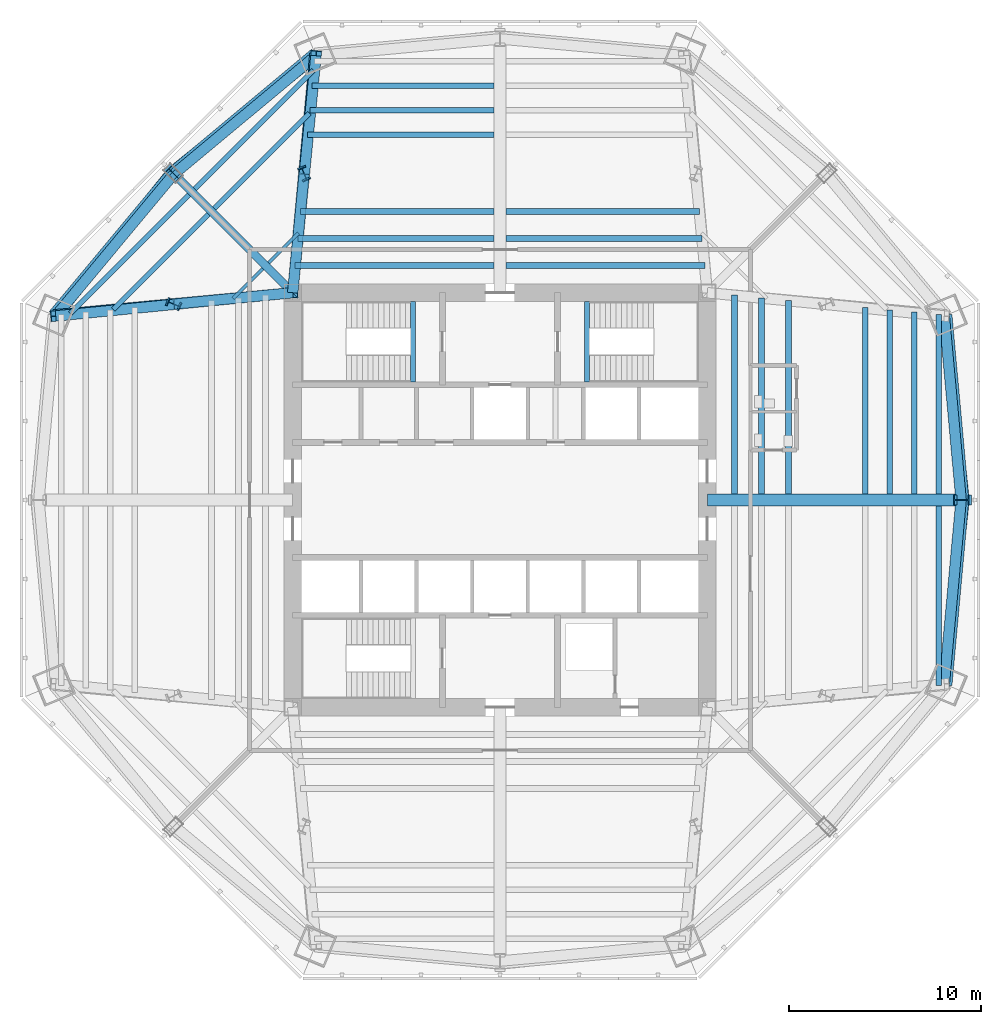
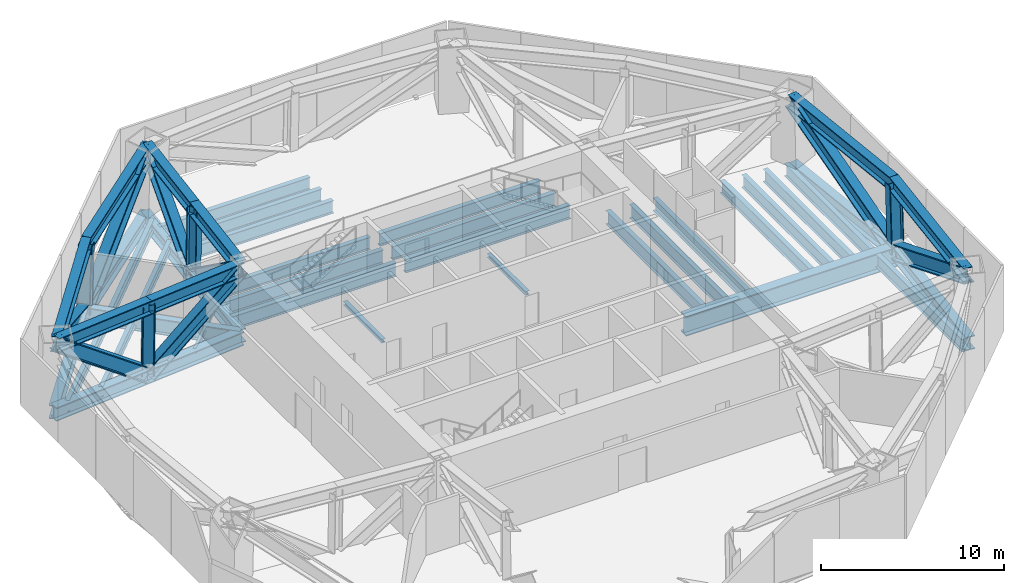
# One storey, part 3 of 10: 28 members, 27 beams.
"""IFC4 building model written with IfcOpenShell, lengths in metres."""

from ifc_helpers import new_model, si_unit, direction, frame, origin, origin_2d, place, context, subcontext, project, spatial, i_section, extrude, source, transform, mapped, material, material_profile, profile_set, type_object, type_shapes, element, save


model = new_model("IFC4")

# Units and contexts
model_context = context("Model", 3, precision=1e-05, world=origin(), true_north=direction((0.0, 1.0)))
body_context = subcontext(model_context, "Body", "Model", "MODEL_VIEW")
ifc_project = project(units=[si_unit("LENGTHUNIT", "METRE"), si_unit("AREAUNIT", "SQUARE_METRE"), si_unit("VOLUMEUNIT", "CUBIC_METRE"), si_unit("PLANEANGLEUNIT", "RADIAN"), si_unit("MASSUNIT", "GRAM", prefix="KILO")], contexts=[model_context])

# Site, building, storey
site_placement = place(None, origin())
site = spatial("IfcSite", under=ifc_project, at=site_placement, CompositionType="ELEMENT")
building_placement = place(site_placement, origin())
building = spatial("IfcBuilding", under=site, at=building_placement, Name="Mashrafa Tower", CompositionType="ELEMENT")
storey_placement = place(building_placement, frame((0.0, 0.0, 108.89990234375)))
storey = spatial("IfcBuildingStorey", under=building, at=storey_placement, Name="L24", CompositionType="ELEMENT", Elevation=108.89990234375)

# Beams
ifc_material_1 = material(Name="Steel ASTM A572 Gr 50", Category="steel")
ifc_material_profile_1 = material_profile(ifc_material_1, i_section(OverallWidth=0.60009765625, OverallDepth=1.300048828125, WebThickness=0.028076171875, FlangeThickness=0.06494140625, at=origin_2d()), Name="H1300X600X28X65")
ifc_profile_set_1 = profile_set([ifc_material_profile_1], Name="Steel ASTM A572 Gr 50")
beam_type_1 = type_object("IfcBeamType", Name="Beam H1300X600X28X65", PredefinedType="BEAM", material=ifc_profile_set_1)
beam_1_placement = place(storey_placement, frame((10.800048828125, 0.0, -0.89990234375), z_axis=(1.0, 0.0, 0.0), x_axis=(0.0, 1.0, 0.0)))
element("IfcBeam", 1, at=beam_1_placement, inside=storey, type_object=beam_type_1, Name="Radial girder L24 087", PredefinedType="BEAM", context=body_context, shape_type="SweptSolid", body=[
    extrude(i_section(OverallWidth=0.60009765625, OverallDepth=1.300048828125, WebThickness=0.028076171875, FlangeThickness=0.06494140625, at=origin_2d()), origin(), (0.0, 0.0, 1.0), 13.341064453125),
])
ifc_material_2 = material(Name="Steel ASTM A992", Category="steel")
ifc_material_profile_2 = material_profile(ifc_material_2, i_section(OverallWidth=0.164794921875, OverallDepth=0.309814453125, WebThickness=0.005859375, FlangeThickness=0.009765625, FilletRadius=0.007568359375, at=origin_2d()), Name="W12X26")
ifc_profile_set_2 = profile_set([ifc_material_profile_2], Name="Steel ASTM A992")
beam_type_2 = type_object("IfcBeamType", Name="Beam W12X26", PredefinedType="BEAM", material=ifc_profile_set_2)
for number, where, z_axis, x_axis, name in (
    (2, (-13.911376953125, 10.509521484375, -0.40478515625), (0.707162242717, 0.707051315306, 0.0), (-0.707051315306, 0.707162242717, 0.0), "Floor beam L24 017"),
    (3, (-12.065673828125, 12.35498046875, -0.40478515625), (0.707051315306, 0.707162242717, 0.0), (-0.707162242717, 0.707051315306, 0.0), "Floor beam L24 023"),
):
    element("IfcBeam", number, at=place(storey_placement, frame(where, z_axis=z_axis, x_axis=x_axis)), inside=storey, type_object=beam_type_2, Name=name, PredefinedType="BEAM", context=body_context, shape_type="SweptSolid", body=[
        extrude(i_section(OverallWidth=0.164794921875, OverallDepth=0.309814453125, WebThickness=0.005859375, FlangeThickness=0.009765625, FilletRadius=0.007568359375, at=origin_2d()), origin(), (0.0, 0.0, 1.0), 2.200927734375),
    ])
ifc_material_3 = material(Name="Steel ASTM A992", Category="steel")
ifc_material_profile_3 = material_profile(ifc_material_3, i_section(OverallWidth=0.25390625, OverallDepth=0.67822265625, WebThickness=0.01171875, FlangeThickness=0.016357421875, FilletRadius=0.01513671875, at=origin_2d()), Name="W27X84")
ifc_profile_set_3 = profile_set([ifc_material_profile_3], Name="Steel ASTM A992")
beam_type_3 = type_object("IfcBeamType", Name="Beam W27X84", PredefinedType="BEAM", material=ifc_profile_set_3)
for number, where, z_axis, x_axis, name in (
    (4, (-20.15087890625, 9.926513671875, -0.589111328125), (0.707106781187, 0.707106781187, 0.0), (-0.707106781187, 0.707106781187, 0.0), "Floor beam L24 008"),
    (5, (-14.89404296875, 15.183349609375, -0.589111328125), (0.707106781187, 0.707106781187, 0.0), (-0.707106781187, 0.707106781187, 0.0), "Floor beam L24 014"),
):
    element("IfcBeam", number, at=place(storey_placement, frame(where, z_axis=z_axis, x_axis=x_axis)), inside=storey, type_object=beam_type_3, Name=name, PredefinedType="BEAM", context=body_context, shape_type="SweptSolid", body=[
        extrude(i_section(OverallWidth=0.25390625, OverallDepth=0.67822265625, WebThickness=0.01171875, FlangeThickness=0.016357421875, FilletRadius=0.01513671875, at=origin_2d()), origin(), (0.0, 0.0, 1.0), 7.025146484375),
    ])
ifc_material_4 = material(Name="Steel ASTM A992", Category="steel")
ifc_material_profile_4 = material_profile(ifc_material_4, i_section(OverallWidth=0.2666015625, OverallDepth=0.761962890625, WebThickness=0.014404296875, FlangeThickness=0.021484375, FilletRadius=0.0166015625, at=origin_2d()), Name="W30X116")
ifc_profile_set_4 = profile_set([ifc_material_profile_4], Name="Steel ASTM A992")
beam_type_4 = type_object("IfcBeamType", Name="Beam W30X116", PredefinedType="BEAM", material=ifc_profile_set_4)
for number, where, z_axis, x_axis, name in (
    (6, (-22.39208984375, 9.71728515625, -0.630859375), (0.707120719406, 0.707092842692, 0.0), (-0.707092842692, 0.707120719406, 0.0), "Floor beam L24 003"),
    (7, (-15.909912109375, 16.19921875, -0.630859375), (0.707092842692, 0.707120719406, 0.0), (-0.707120719406, 0.707092842692, 0.0), "Floor beam L24 012"),
):
    element("IfcBeam", number, at=place(storey_placement, frame(where, z_axis=z_axis, x_axis=x_axis)), inside=storey, type_object=beam_type_4, Name=name, PredefinedType="BEAM", context=body_context, shape_type="SweptSolid", body=[
        extrude(i_section(OverallWidth=0.2666015625, OverallDepth=0.761962890625, WebThickness=0.014404296875, FlangeThickness=0.021484375, FilletRadius=0.0166015625, at=origin_2d()), origin(), (0.0, 0.0, 1.0), 8.7578125),
    ])
ifc_material_5 = material(Name="Steel ASTM A992", Category="steel")
ifc_material_profile_5 = material_profile(ifc_material_5, i_section(OverallWidth=0.2919921875, OverallDepth=0.8408203125, WebThickness=0.0146484375, FlangeThickness=0.021728515625, FilletRadius=0.017333984375, at=origin_2d()), Name="W33X130")
ifc_profile_set_5 = profile_set([ifc_material_profile_5], Name="Steel ASTM A992")
beam_type_5 = type_object("IfcBeamType", Name="Beam W33X130", PredefinedType="BEAM", material=ifc_profile_set_5)
beam_2_placement = place(storey_placement, frame((-9.911865234375, 20.30859375, -0.670166015625), z_axis=(1.0, 0.0, 0.0), x_axis=(0.0, 1.0, 0.0)))
element("IfcBeam", 8, at=beam_2_placement, inside=storey, type_object=beam_type_5, Name="Floor beam L24 030", PredefinedType="BEAM", context=body_context, shape_type="SweptSolid", body=[
    extrude(i_section(OverallWidth=0.2919921875, OverallDepth=0.8408203125, WebThickness=0.0146484375, FlangeThickness=0.021728515625, FilletRadius=0.017333984375, at=origin_2d()), origin(), (0.0, 0.0, 1.0), 9.61181640625),
])
beam_3_placement = place(storey_placement, frame((-9.79248046875, 21.586181640625, -0.670166015625), z_axis=(1.0, 0.0, 0.0), x_axis=(0.0, 1.0, 0.0)))
element("IfcBeam", 9, at=beam_3_placement, inside=storey, type_object=beam_type_5, Name="Floor beam L24 031", PredefinedType="BEAM", context=body_context, shape_type="SweptSolid", body=[
    extrude(i_section(OverallWidth=0.2919921875, OverallDepth=0.8408203125, WebThickness=0.0146484375, FlangeThickness=0.021728515625, FilletRadius=0.017333984375, at=origin_2d()), origin(), (0.0, 0.0, 1.0), 9.492431640625),
])
beam_4_placement = place(storey_placement, frame((20.30859375, 9.911865234375, -0.670166015625), z_axis=(0.0, -1.0, 0.0), x_axis=(1.0, 0.0, 0.0)))
element("IfcBeam", 10, at=beam_4_placement, inside=storey, type_object=beam_type_5, Name="Floor beam L24 075", PredefinedType="BEAM", context=body_context, shape_type="SweptSolid", body=[
    extrude(i_section(OverallWidth=0.2919921875, OverallDepth=0.8408203125, WebThickness=0.0146484375, FlangeThickness=0.021728515625, FilletRadius=0.017333984375, at=origin_2d()), origin(), (0.0, 0.0, 1.0), 9.61181640625),
])
beam_5_placement = place(storey_placement, frame((21.586181640625, 9.79248046875, -0.670166015625), z_axis=(0.0, -1.0, 0.0), x_axis=(1.0, 0.0, 0.0)))
element("IfcBeam", 11, at=beam_5_placement, inside=storey, type_object=beam_type_5, Name="Floor beam L24 077", PredefinedType="BEAM", context=body_context, shape_type="SweptSolid", body=[
    extrude(i_section(OverallWidth=0.2919921875, OverallDepth=0.8408203125, WebThickness=0.0146484375, FlangeThickness=0.021728515625, FilletRadius=0.017333984375, at=origin_2d()), origin(), (0.0, 0.0, 1.0), 9.492431640625),
])
for number, where, z_axis, x_axis, name in (
    (12, (22.863525390625, -0.300048828125, -0.670166015625), (0.0, -1.0, 0.0), (1.0, 0.0, 0.0), "Floor beam L24 079"),
    (13, (22.863525390625, 9.673095703125, -0.670166015625), (0.0, -1.0, 0.0), (1.0, 0.0, 0.0), "Floor beam L24 080"),
):
    element("IfcBeam", number, at=place(storey_placement, frame(where, z_axis=z_axis, x_axis=x_axis)), inside=storey, type_object=beam_type_5, Name=name, PredefinedType="BEAM", context=body_context, shape_type="SweptSolid", body=[
        extrude(i_section(OverallWidth=0.2919921875, OverallDepth=0.8408203125, WebThickness=0.0146484375, FlangeThickness=0.021728515625, FilletRadius=0.017333984375, at=origin_2d()), origin(), (0.0, 0.0, 1.0), 9.373046875),
    ])
ifc_material_6 = material(Name="Steel ASTM A992", Category="steel")
ifc_material_profile_6 = material_profile(ifc_material_6, i_section(OverallWidth=0.2919921875, OverallDepth=0.845703125, WebThickness=0.015380859375, FlangeThickness=0.0244140625, FilletRadius=0.017333984375, at=origin_2d()), Name="W33X141")
ifc_profile_set_6 = profile_set([ifc_material_profile_6], Name="Steel ASTM A992")
beam_type_6 = type_object("IfcBeamType", Name="Beam W33X141", PredefinedType="BEAM", material=ifc_profile_set_6)
beam_6_placement = place(storey_placement, frame((-10.40478515625, 15.031005859375, -0.6728515625), z_axis=(1.0, 0.0, 0.0), x_axis=(0.0, 1.0, 0.0)))
element("IfcBeam", 14, at=beam_6_placement, inside=storey, type_object=beam_type_6, Name="Floor beam L24 027", PredefinedType="BEAM", context=body_context, shape_type="SweptSolid", body=[
    extrude(i_section(OverallWidth=0.2919921875, OverallDepth=0.845703125, WebThickness=0.015380859375, FlangeThickness=0.0244140625, FilletRadius=0.017333984375, at=origin_2d()), origin(), (0.0, 0.0, 1.0), 10.104736328125),
])
beam_7_placement = place(storey_placement, frame((-10.031005859375, 19.031005859375, -0.6728515625), z_axis=(1.0, 0.0, 0.0), x_axis=(0.0, 1.0, 0.0)))
element("IfcBeam", 15, at=beam_7_placement, inside=storey, type_object=beam_type_6, Name="Floor beam L24 028", PredefinedType="BEAM", context=body_context, shape_type="SweptSolid", body=[
    extrude(i_section(OverallWidth=0.2919921875, OverallDepth=0.845703125, WebThickness=0.015380859375, FlangeThickness=0.0244140625, FilletRadius=0.017333984375, at=origin_2d()), origin(), (0.0, 0.0, 1.0), 9.73095703125),
])
for number, where, z_axis, x_axis, name in (
    (16, (0.300048828125, 15.031005859375, -0.6728515625), (1.0, 0.0, 0.0), (0.0, 1.0, 0.0), "Floor beam L24 043"),
    (17, (15.031005859375, 10.40478515625, -0.6728515625), (0.0, -1.0, 0.0), (1.0, 0.0, 0.0), "Floor beam L24 066"),
):
    element("IfcBeam", number, at=place(storey_placement, frame(where, z_axis=z_axis, x_axis=x_axis)), inside=storey, type_object=beam_type_6, Name=name, PredefinedType="BEAM", context=body_context, shape_type="SweptSolid", body=[
        extrude(i_section(OverallWidth=0.2919921875, OverallDepth=0.845703125, WebThickness=0.015380859375, FlangeThickness=0.0244140625, FilletRadius=0.017333984375, at=origin_2d()), origin(), (0.0, 0.0, 1.0), 10.104736328125),
    ])
beam_8_placement = place(storey_placement, frame((19.031005859375, 10.031005859375, -0.6728515625), z_axis=(0.0, -1.0, 0.0), x_axis=(1.0, 0.0, 0.0)))
element("IfcBeam", 18, at=beam_8_placement, inside=storey, type_object=beam_type_6, Name="Floor beam L24 072", PredefinedType="BEAM", context=body_context, shape_type="SweptSolid", body=[
    extrude(i_section(OverallWidth=0.2919921875, OverallDepth=0.845703125, WebThickness=0.015380859375, FlangeThickness=0.0244140625, FilletRadius=0.017333984375, at=origin_2d()), origin(), (0.0, 0.0, 1.0), 9.73095703125),
])
ifc_material_7 = material(Name="Steel ASTM A992", Category="steel")
ifc_material_profile_7 = material_profile(ifc_material_7, i_section(OverallWidth=0.3046875, OverallDepth=0.911865234375, WebThickness=0.015869140625, FlangeThickness=0.02392578125, FilletRadius=0.01904296875, at=origin_2d()), Name="W36X150")
ifc_profile_set_7 = profile_set([ifc_material_profile_7], Name="Steel ASTM A992")
beam_type_7 = type_object("IfcBeamType", Name="Beam W36X150", PredefinedType="BEAM", material=ifc_profile_set_7)
beam_9_placement = place(storey_placement, frame((-10.668212890625, 12.210205078125, -0.705810546875), z_axis=(1.0, 0.0, 0.0), x_axis=(0.0, 1.0, 0.0)))
element("IfcBeam", 19, at=beam_9_placement, inside=storey, type_object=beam_type_7, Name="Floor beam L24 024", PredefinedType="BEAM", context=body_context, shape_type="SweptSolid", body=[
    extrude(i_section(OverallWidth=0.3046875, OverallDepth=0.911865234375, WebThickness=0.015869140625, FlangeThickness=0.02392578125, FilletRadius=0.01904296875, at=origin_2d()), origin(), (0.0, 0.0, 1.0), 10.3681640625),
])
beam_10_placement = place(storey_placement, frame((-10.53662109375, 13.62060546875, -0.705810546875), z_axis=(1.0, 0.0, 0.0), x_axis=(0.0, 1.0, 0.0)))
element("IfcBeam", 20, at=beam_10_placement, inside=storey, type_object=beam_type_7, Name="Floor beam L24 025", PredefinedType="BEAM", context=body_context, shape_type="SweptSolid", body=[
    extrude(i_section(OverallWidth=0.3046875, OverallDepth=0.911865234375, WebThickness=0.015869140625, FlangeThickness=0.02392578125, FilletRadius=0.01904296875, at=origin_2d()), origin(), (0.0, 0.0, 1.0), 10.236572265625),
])
beam_11_placement = place(storey_placement, frame((0.300048828125, 12.210205078125, -0.705810546875), z_axis=(1.0, 0.0, 0.0), x_axis=(0.0, 1.0, 0.0)))
element("IfcBeam", 21, at=beam_11_placement, inside=storey, type_object=beam_type_7, Name="Floor beam L24 041", PredefinedType="BEAM", context=body_context, shape_type="SweptSolid", body=[
    extrude(i_section(OverallWidth=0.3046875, OverallDepth=0.911865234375, WebThickness=0.015869140625, FlangeThickness=0.02392578125, FilletRadius=0.01904296875, at=origin_2d()), origin(), (0.0, 0.0, 1.0), 10.3681640625),
])
beam_12_placement = place(storey_placement, frame((0.300048828125, 13.62060546875, -0.705810546875), z_axis=(1.0, 0.0, 0.0), x_axis=(0.0, 1.0, 0.0)))
element("IfcBeam", 22, at=beam_12_placement, inside=storey, type_object=beam_type_7, Name="Floor beam L24 042", PredefinedType="BEAM", context=body_context, shape_type="SweptSolid", body=[
    extrude(i_section(OverallWidth=0.3046875, OverallDepth=0.911865234375, WebThickness=0.015869140625, FlangeThickness=0.02392578125, FilletRadius=0.01904296875, at=origin_2d()), origin(), (0.0, 0.0, 1.0), 10.236572265625),
])
beam_13_placement = place(storey_placement, frame((12.210205078125, 10.668212890625, -0.705810546875), z_axis=(0.0, -1.0, 0.0), x_axis=(1.0, 0.0, 0.0)))
element("IfcBeam", 23, at=beam_13_placement, inside=storey, type_object=beam_type_7, Name="Floor beam L24 060", PredefinedType="BEAM", context=body_context, shape_type="SweptSolid", body=[
    extrude(i_section(OverallWidth=0.3046875, OverallDepth=0.911865234375, WebThickness=0.015869140625, FlangeThickness=0.02392578125, FilletRadius=0.01904296875, at=origin_2d()), origin(), (0.0, 0.0, 1.0), 10.3681640625),
])
beam_14_placement = place(storey_placement, frame((13.62060546875, 10.53662109375, -0.705810546875), z_axis=(0.0, -1.0, 0.0), x_axis=(1.0, 0.0, 0.0)))
element("IfcBeam", 24, at=beam_14_placement, inside=storey, type_object=beam_type_7, Name="Floor beam L24 063", PredefinedType="BEAM", context=body_context, shape_type="SweptSolid", body=[
    extrude(i_section(OverallWidth=0.3046875, OverallDepth=0.911865234375, WebThickness=0.015869140625, FlangeThickness=0.02392578125, FilletRadius=0.01904296875, at=origin_2d()), origin(), (0.0, 0.0, 1.0), 10.236572265625),
])
ifc_material_8 = material(Name="Steel ASTM A992", Category="steel")
ifc_material_profile_8 = material_profile(ifc_material_8, i_section(OverallWidth=0.408935546875, OverallDepth=1.04150390625, WebThickness=0.031005859375, FlangeThickness=0.055908203125, FilletRadius=0.020263671875, at=origin_2d()), Name="W40X397")
ifc_profile_set_8 = profile_set([ifc_material_profile_8], Name="Steel ASTM A992")
beam_type_8 = type_object("IfcBeamType", Name="Beam W40X397", PredefinedType="BEAM", material=ifc_profile_set_8)
beam_15_placement = place(storey_placement, frame((-10.800048828125, 10.800048828125, -0.7705078125), z_axis=(-0.707106781187, 0.707106781187, 0.0), x_axis=(-0.707106781187, -0.707106781187, 0.0)))
element("IfcBeam", 25, at=beam_15_placement, inside=storey, type_object=beam_type_8, Name="Radial girder L24 083", PredefinedType="BEAM", context=body_context, shape_type="SweptSolid", body=[
    extrude(i_section(OverallWidth=0.408935546875, OverallDepth=1.04150390625, WebThickness=0.031005859375, FlangeThickness=0.055908203125, FilletRadius=0.020263671875, at=origin_2d()), origin(), (0.0, 0.0, 1.0), 8.867431640625),
])
ifc_material_9 = material(Name="Steel ASTM A992", Category="steel")
ifc_material_profile_9 = material_profile(ifc_material_9, i_section(OverallWidth=0.25390625, OverallDepth=0.25390625, WebThickness=0.008544921875, FlangeThickness=0.01416015625, FilletRadius=0.010009765625, at=origin_2d()), Name="W10X49")
ifc_profile_set_9 = profile_set([ifc_material_profile_9], Name="Steel ASTM A992")
beam_type_9 = type_object("IfcBeamType", Name="Hoistway beam W10X49", PredefinedType="BEAM", material=ifc_profile_set_9)
for number, where, z_axis, x_axis, name in (
    (26, (-4.530029296875, 6.14990234375, -0.376953125), (0.0, 1.0, 0.0), (-1.0, 0.0, 0.0), "Stair S1 landing beam L24"),
    (27, (4.530029296875, 6.14990234375, -0.376953125), (0.0, 1.0, 0.0), (-1.0, 0.0, 0.0), "Stair S2 landing beam L24"),
):
    element("IfcBeam", number, at=place(storey_placement, frame(where, z_axis=z_axis, x_axis=x_axis)), inside=storey, type_object=beam_type_9, Name=name, PredefinedType="BEAM", context=body_context, shape_type="SweptSolid", body=[
        extrude(i_section(OverallWidth=0.25390625, OverallDepth=0.25390625, WebThickness=0.008544921875, FlangeThickness=0.01416015625, FilletRadius=0.010009765625, at=origin_2d()), origin(), (0.0, 0.0, 1.0), 4.2001953125),
    ])

# Members
ifc_material_10 = material(Name="Steel ASTM A572 Gr 50", Category="steel")
ifc_material_profile_10 = material_profile(ifc_material_10, i_section(OverallWidth=0.550048828125, OverallDepth=0.89990234375, WebThickness=0.034912109375, FlangeThickness=0.06005859375, at=origin_2d()), Name="H900X550X35X60")
ifc_profile_set_10 = profile_set([ifc_material_profile_10], Name="Steel ASTM A572 Gr 50")
member_type_1 = type_object("IfcMemberType", Name="Belt truss chord H900X550X35X60", PredefinedType="CHORD", material=ifc_profile_set_10)
shared_shape_1 = source(origin(), body_context, "Body", "SweptSolid", [
    extrude(i_section(OverallWidth=0.550048828125, OverallDepth=0.89990234375, WebThickness=0.034912109375, FlangeThickness=0.06005859375, at=origin_2d()), origin(), (0.0, 0.0, 1.0), 9.680908203125),
])
for number, where, z_axis, x_axis, name in (
    (28, (23.275634765625, -9.64111328125, -0.699951171875), (0.090710826953, 0.995877274504, 0.0), (-0.995877274504, 0.090710826953, 0.0), "Belt truss bottom chord east face L24 right"),
    (29, (23.275634765625, 9.64111328125, -0.699951171875), (0.090710826953, -0.995877274504, 0.0), (0.995877274504, 0.090710826953, 0.0), "Belt truss bottom chord east face L24 left"),
    (30, (-9.64111328125, 23.275634765625, -0.699951171875), (-0.768334957874, -0.6400479611, 0.0), (0.6400479611, -0.768334957874, 0.0), "Belt truss bottom chord north-west face L24 right"),
    (31, (-23.275634765625, 9.64111328125, -0.699951171875), (0.6400479611, 0.768334957874, 0.0), (-0.768334957874, 0.6400479611, 0.0), "Belt truss bottom chord north-west face L24 left"),
):
    element("IfcMember", number, at=place(storey_placement, frame(where, z_axis=z_axis, x_axis=x_axis)), inside=storey, type_object=member_type_1, Name=name, PredefinedType="CHORD", context=body_context, shape_type="MappedRepresentation", body=[
        mapped(shared_shape_1, transform((0.0, 0.0, 0.0))),
    ])
shared_shape_2 = source(origin(), body_context, "Body", "SweptSolid", [
    extrude(i_section(OverallWidth=0.550048828125, OverallDepth=0.89990234375, WebThickness=0.034912109375, FlangeThickness=0.06005859375, at=origin_2d()), origin(), (0.0, 0.0, 1.0), 9.62744140625),
])
type_shapes(member_type_1, [shared_shape_1, shared_shape_2])
for number, where, z_axis, x_axis, name in (
    (32, (23.14599609375, -9.58740234375, 3.885009765625), (0.091214794378, 0.995831241369, 0.0), (-0.995831241369, 0.091214794378, 0.0), "Belt truss top chord east face L24 right"),
    (33, (23.14599609375, 9.58740234375, 3.885009765625), (0.091214794378, -0.995831241369, 0.0), (0.995831241369, 0.091214794378, 0.0), "Belt truss top chord east face L24 left"),
    (34, (-9.58740234375, 23.14599609375, 3.885009765625), (-0.768647218542, -0.639672926915, 0.0), (0.639672926915, -0.768647218542, 0.0), "Belt truss top chord north-west face L24 right"),
    (35, (-23.14599609375, 9.58740234375, 3.885009765625), (0.639672926915, 0.768647218542, 0.0), (-0.768647218542, 0.639672926915, 0.0), "Belt truss top chord north-west face L24 left"),
):
    element("IfcMember", number, at=place(storey_placement, frame(where, z_axis=z_axis, x_axis=x_axis)), inside=storey, type_object=member_type_1, Name=name, PredefinedType="CHORD", context=body_context, shape_type="MappedRepresentation", body=[
        mapped(shared_shape_2, transform((0.0, 0.0, 0.0))),
    ])
ifc_material_11 = material(Name="Steel ASTM A572 Gr 50", Category="steel")
ifc_material_profile_11 = material_profile(ifc_material_11, i_section(OverallWidth=0.5, OverallDepth=0.800048828125, WebThickness=0.031982421875, FlangeThickness=0.050048828125, at=origin_2d()), Name="H800X500X32X50")
ifc_profile_set_11 = profile_set([ifc_material_profile_11], Name="Steel ASTM A572 Gr 50")
member_type_2 = type_object("IfcMemberType", Name="Belt truss post H800X500X32X50", PredefinedType="POST", material=ifc_profile_set_11)
shared_shape_3 = source(origin(), body_context, "Body", "SweptSolid", [
    extrude(i_section(OverallWidth=0.5, OverallDepth=0.800048828125, WebThickness=0.031982421875, FlangeThickness=0.050048828125, at=origin_2d()), origin(), (0.0, 0.0, 1.0), 4.5869140625),
])
type_shapes(member_type_2, [shared_shape_3])
for number, where, z_axis, x_axis, name in (
    (36, (24.15380859375, 0.0, -0.699951171875), (-0.028263464856, 0.0, 0.99960050848), (0.0, -1.0, 0.0), "Belt truss post east face L24"),
    (37, (-17.079345703125, 17.079345703125, -0.699951171875), (0.020013278491, -0.020013278491, 0.999599388439), (0.707106781187, 0.707106781187, 0.0), "Belt truss post north-west face L24"),
):
    element("IfcMember", number, at=place(storey_placement, frame(where, z_axis=z_axis, x_axis=x_axis)), inside=storey, type_object=member_type_2, Name=name, PredefinedType="POST", context=body_context, shape_type="MappedRepresentation", body=[
        mapped(shared_shape_3, transform((0.0, 0.0, 0.0))),
    ])
ifc_material_12 = material(Name="Steel ASTM A572 Gr 50", Category="steel")
ifc_material_profile_12 = material_profile(ifc_material_12, i_section(OverallWidth=0.60009765625, OverallDepth=1.0, WebThickness=0.0400390625, FlangeThickness=0.070068359375, at=origin_2d()), Name="H1000X600X40X70")
ifc_profile_set_12 = profile_set([ifc_material_profile_12], Name="Steel ASTM A572 Gr 50")
member_type_3 = type_object("IfcMemberType", Name="Belt truss diagonal H1000X600X40X70", PredefinedType="BRACE", material=ifc_profile_set_12)
shared_shape_4 = source(origin(), body_context, "Body", "SweptSolid", [
    extrude(i_section(OverallWidth=0.60009765625, OverallDepth=1.0, WebThickness=0.0400390625, FlangeThickness=0.070068359375, at=origin_2d()), origin(), (0.0, 0.0, 1.0), 10.675048828125),
])
type_shapes(member_type_3, [shared_shape_4])
for number, where, z_axis, x_axis, name in (
    (38, (24.15380859375, 0.0, -0.699951171875), (-0.094408577481, -0.898116481993, 0.429504138829), (0.994520429695, -0.104542407277, 0.0), "Belt truss diagonal east face L24 right"),
    (39, (24.15380859375, 0.0, -0.699951171875), (-0.094408577481, 0.898116481993, 0.429504138829), (-0.994520429695, -0.104542407277, 0.0), "Belt truss diagonal east face L24 left"),
    (40, (-17.079345703125, 17.079345703125, -0.699951171875), (0.701822303286, 0.568305224178, 0.429505095177), (-0.629307502701, 0.777156398059, 0.0), "Belt truss diagonal north-west face L24 right"),
    (41, (-17.079345703125, 17.079345703125, -0.699951171875), (-0.568305224178, -0.701822303286, 0.429505095177), (0.777156398059, -0.629307502701, 0.0), "Belt truss diagonal north-west face L24 left"),
):
    element("IfcMember", number, at=place(storey_placement, frame(where, z_axis=z_axis, x_axis=x_axis)), inside=storey, type_object=member_type_3, Name=name, PredefinedType="BRACE", context=body_context, shape_type="MappedRepresentation", body=[
        mapped(shared_shape_4, transform((0.0, 0.0, 0.0))),
    ])
ifc_material_13 = material(Name="Steel ASTM A572 Gr 50", Category="steel")
ifc_material_profile_13 = material_profile(ifc_material_13, i_section(OverallWidth=0.550048828125, OverallDepth=0.89990234375, WebThickness=0.034912109375, FlangeThickness=0.06005859375, at=origin_2d()), Name="H900X550X35X60")
ifc_profile_set_13 = profile_set([ifc_material_profile_13], Name="Steel ASTM A572 Gr 50")
member_type_4 = type_object("IfcMemberType", Name="Outrigger chord H900X550X35X60", PredefinedType="CHORD", material=ifc_profile_set_13)
shared_shape_5 = source(origin(), body_context, "Body", "SweptSolid", [
    extrude(i_section(OverallWidth=0.550048828125, OverallDepth=0.89990234375, WebThickness=0.034912109375, FlangeThickness=0.06005859375, at=origin_2d()), origin(), (0.0, 0.0, 1.0), 6.2646484375),
])
for number, where, z_axis, x_axis, name in (
    (42, (-10.800048828125, 10.800048828125, -0.699951171875), (0.092517341994, 0.995711073269, 0.0), (-0.995711073269, 0.092517341994, 0.0), "Outrigger bottom chord MC3 L24 core end"),
    (43, (-10.220458984375, 17.037841796875, -0.699951171875), (0.092478704277, 0.995714662569, 0.0), (-0.995714662569, 0.092478704277, 0.0), "Outrigger bottom chord MC3 L24 column end"),
    (44, (-10.800048828125, 10.800048828125, -0.699951171875), (-0.995711073269, -0.092517341994, 0.0), (0.092517341994, -0.995711073269, 0.0), "Outrigger bottom chord MC4 L24 core end"),
    (45, (-17.037841796875, 10.220458984375, -0.699951171875), (-0.995714662569, -0.092478704277, 0.0), (0.092478704277, -0.995714662569, 0.0), "Outrigger bottom chord MC4 L24 column end"),
):
    element("IfcMember", number, at=place(storey_placement, frame(where, z_axis=z_axis, x_axis=x_axis)), inside=storey, type_object=member_type_4, Name=name, PredefinedType="CHORD", context=body_context, shape_type="MappedRepresentation", body=[
        mapped(shared_shape_5, transform((0.0, 0.0, 0.0))),
    ])
shared_shape_6 = source(origin(), body_context, "Body", "SweptSolid", [
    extrude(i_section(OverallWidth=0.550048828125, OverallDepth=0.89990234375, WebThickness=0.034912109375, FlangeThickness=0.06005859375, at=origin_2d()), origin(), (0.0, 0.0, 1.0), 6.20263671875),
])
for number, where, z_axis, x_axis, name in (
    (46, (-10.800048828125, 10.800048828125, 3.885009765625), (0.09777323439, 0.995208719132, 0.0), (-0.995208719132, 0.09777323439, 0.0), "Outrigger top chord MC3 L24 core end"),
    (47, (-10.800048828125, 10.800048828125, 3.885009765625), (-0.995208719132, -0.09777323439, 0.0), (0.09777323439, -0.995208719132, 0.0), "Outrigger top chord MC4 L24 core end"),
):
    element("IfcMember", number, at=place(storey_placement, frame(where, z_axis=z_axis, x_axis=x_axis)), inside=storey, type_object=member_type_4, Name=name, PredefinedType="CHORD", context=body_context, shape_type="MappedRepresentation", body=[
        mapped(shared_shape_6, transform((0.0, 0.0, 0.0))),
    ])
shared_shape_7 = source(origin(), body_context, "Body", "SweptSolid", [
    extrude(i_section(OverallWidth=0.550048828125, OverallDepth=0.89990234375, WebThickness=0.034912109375, FlangeThickness=0.06005859375, at=origin_2d()), origin(), (0.0, 0.0, 1.0), 6.202880859375),
])
type_shapes(member_type_4, [shared_shape_5, shared_shape_6, shared_shape_7])
for number, where, z_axis, x_axis, name in (
    (48, (-10.193603515625, 16.972900390625, 3.885009765625), (0.097730420851, 0.995212924374, 0.0), (-0.995212924374, 0.097730420851, 0.0), "Outrigger top chord MC3 L24 column end"),
    (49, (-16.972900390625, 10.193603515625, 3.885009765625), (-0.995212924374, -0.097730420851, 0.0), (0.097730420851, -0.995212924374, 0.0), "Outrigger top chord MC4 L24 column end"),
):
    element("IfcMember", number, at=place(storey_placement, frame(where, z_axis=z_axis, x_axis=x_axis)), inside=storey, type_object=member_type_4, Name=name, PredefinedType="CHORD", context=body_context, shape_type="MappedRepresentation", body=[
        mapped(shared_shape_7, transform((0.0, 0.0, 0.0))),
    ])
ifc_material_14 = material(Name="Steel ASTM A572 Gr 50", Category="steel")
ifc_material_profile_14 = material_profile(ifc_material_14, i_section(OverallWidth=0.449951171875, OverallDepth=0.699951171875, WebThickness=0.028076171875, FlangeThickness=0.044921875, at=origin_2d()), Name="H700X450X28X45")
ifc_profile_set_14 = profile_set([ifc_material_profile_14], Name="Steel ASTM A572 Gr 50")
member_type_5 = type_object("IfcMemberType", Name="Outrigger post H700X450X28X45", PredefinedType="POST", material=ifc_profile_set_14)
shared_shape_8 = source(origin(), body_context, "Body", "SweptSolid", [
    extrude(i_section(OverallWidth=0.449951171875, OverallDepth=0.699951171875, WebThickness=0.028076171875, FlangeThickness=0.044921875, at=origin_2d()), origin(), (0.0, 0.0, 1.0), 4.58544921875),
])
type_shapes(member_type_5, [shared_shape_8])
for number, where, z_axis, x_axis, name in (
    (50, (-10.220458984375, 17.037841796875, -0.699951171875), (0.005856607098, -0.0141623408, 0.999882557232), (0.924101457062, 0.382147219086, 0.0), "Outrigger post MC3 L24"),
    (51, (-17.037841796875, 10.220458984375, -0.699951171875), (0.0141623408, -0.005856607098, 0.999882557232), (0.382147219086, 0.924101457062, 0.0), "Outrigger post MC4 L24"),
):
    element("IfcMember", number, at=place(storey_placement, frame(where, z_axis=z_axis, x_axis=x_axis)), inside=storey, type_object=member_type_5, Name=name, PredefinedType="POST", context=body_context, shape_type="MappedRepresentation", body=[
        mapped(shared_shape_8, transform((0.0, 0.0, 0.0))),
    ])
ifc_material_15 = material(Name="Steel ASTM A572 Gr 50", Category="steel")
ifc_material_profile_15 = material_profile(ifc_material_15, i_section(OverallWidth=0.550048828125, OverallDepth=0.89990234375, WebThickness=0.034912109375, FlangeThickness=0.06005859375, at=origin_2d()), Name="H900X550X35X60")
ifc_profile_set_15 = profile_set([ifc_material_profile_15], Name="Steel ASTM A572 Gr 50")
member_type_6 = type_object("IfcMemberType", Name="Outrigger diagonal H900X550X35X60", PredefinedType="BRACE", material=ifc_profile_set_15)
shared_shape_9 = source(origin(), body_context, "Body", "SweptSolid", [
    extrude(i_section(OverallWidth=0.550048828125, OverallDepth=0.89990234375, WebThickness=0.034912109375, FlangeThickness=0.06005859375, at=origin_2d()), origin(), (0.0, 0.0, 1.0), 7.76318359375),
])
for number, where, z_axis, x_axis, name in (
    (52, (-10.220458984375, 17.037841796875, -0.699951171875), (-0.074658267743, -0.803504103128, 0.590599102026), (0.995711073269, -0.092517341994, 0.0), "Outrigger diagonal MC3 L24 core end"),
    (53, (-17.037841796875, 10.220458984375, -0.699951171875), (0.803504103128, 0.074658267743, 0.590599102026), (-0.092517341994, 0.995711073269, 0.0), "Outrigger diagonal MC4 L24 core end"),
):
    element("IfcMember", number, at=place(storey_placement, frame(where, z_axis=z_axis, x_axis=x_axis)), inside=storey, type_object=member_type_6, Name=name, PredefinedType="BRACE", context=body_context, shape_type="MappedRepresentation", body=[
        mapped(shared_shape_9, transform((0.0, 0.0, 0.0))),
    ])
shared_shape_10 = source(origin(), body_context, "Body", "SweptSolid", [
    extrude(i_section(OverallWidth=0.550048828125, OverallDepth=0.89990234375, WebThickness=0.034912109375, FlangeThickness=0.06005859375, at=origin_2d()), origin(), (0.0, 0.0, 1.0), 7.66357421875),
])
type_shapes(member_type_6, [shared_shape_9, shared_shape_10])
for number, where, z_axis, x_axis, name in (
    (54, (-10.220458984375, 17.037841796875, -0.699951171875), (0.082604654954, 0.797025014387, 0.598270505224), (-0.994672131228, 0.103089045776, 0.0), "Outrigger diagonal MC3 L24 column end"),
    (55, (-17.037841796875, 10.220458984375, -0.699951171875), (-0.797025014387, -0.082604654954, 0.598270505224), (0.103089045776, -0.994672131228, 0.0), "Outrigger diagonal MC4 L24 column end"),
):
    element("IfcMember", number, at=place(storey_placement, frame(where, z_axis=z_axis, x_axis=x_axis)), inside=storey, type_object=member_type_6, Name=name, PredefinedType="BRACE", context=body_context, shape_type="MappedRepresentation", body=[
        mapped(shared_shape_10, transform((0.0, 0.0, 0.0))),
    ])

save(model, "model.ifc")
